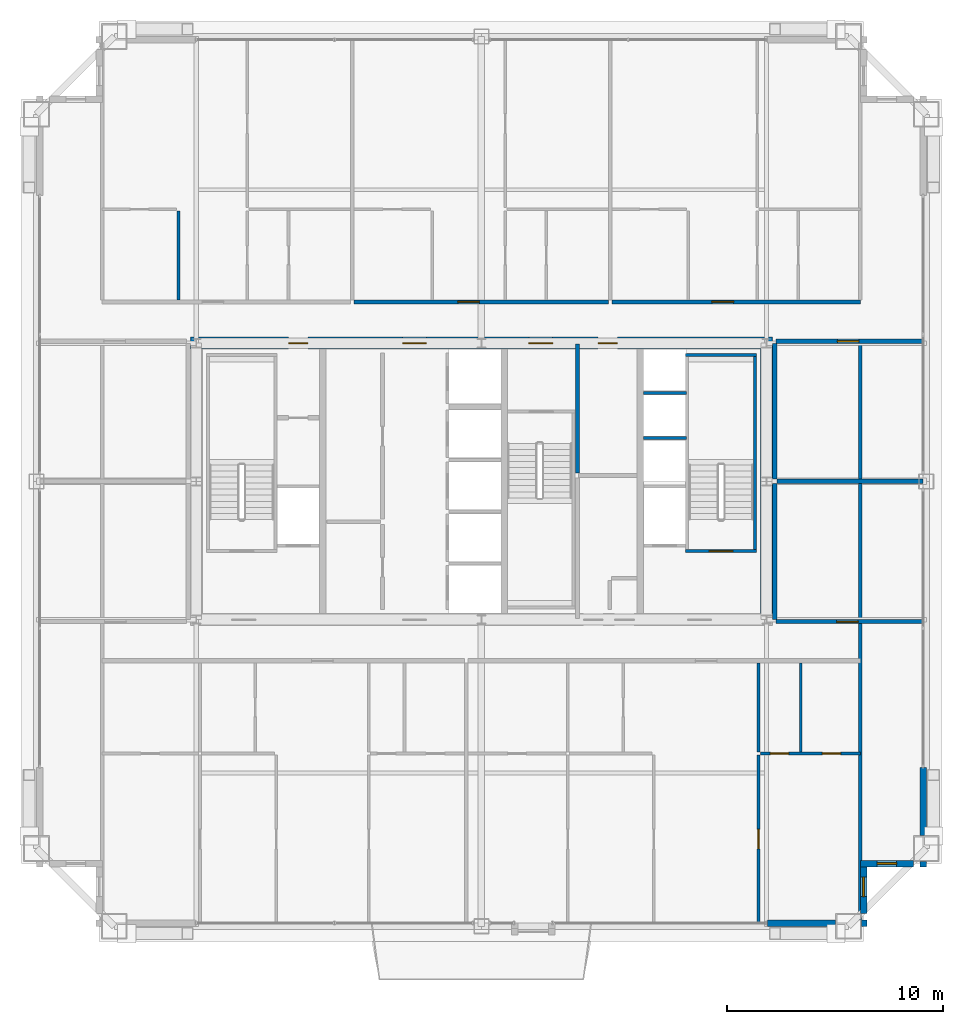
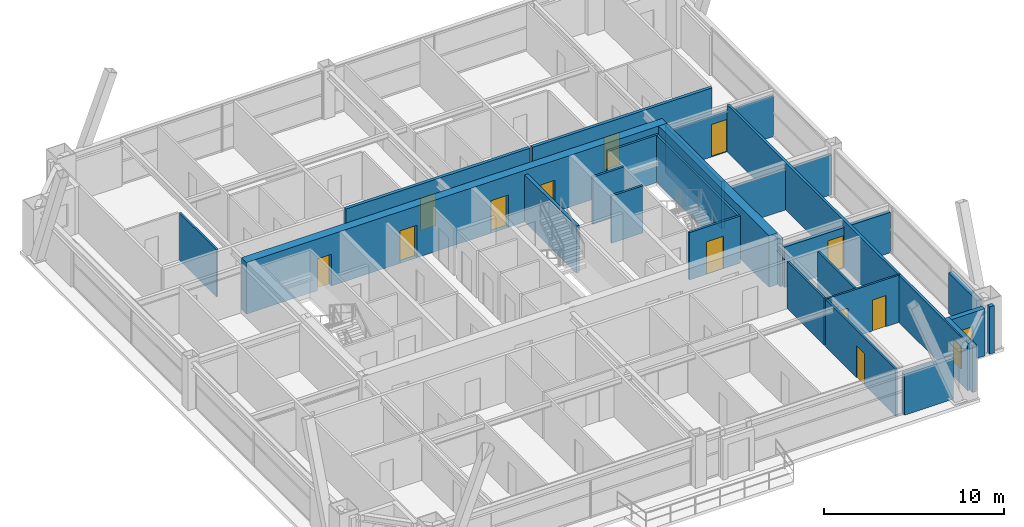
# One storey, part 33 of 36: 27 walls, 12 doors, 2 windows, 14 openings.
"""IFC4 building model written with IfcOpenShell, lengths in metres."""

from ifc_helpers import new_model, si_unit, direction, frame, frame_2d, origin, place, context, subcontext, project, spatial, rectangle, extrude, source, transform, mapped, material, layer, layer_set, type_object, element, fill, save


model = new_model("IFC4")

# Units and contexts
model_context = context("Model", 3, precision=1e-05, world=origin(), true_north=direction((0.0, 1.0)))
body_context = subcontext(model_context, "Body", "Model", "MODEL_VIEW")
ifc_project = project(units=[si_unit("LENGTHUNIT", "METRE"), si_unit("AREAUNIT", "SQUARE_METRE"), si_unit("VOLUMEUNIT", "CUBIC_METRE"), si_unit("PLANEANGLEUNIT", "RADIAN"), si_unit("MASSUNIT", "GRAM", prefix="KILO"), si_unit("THERMODYNAMICTEMPERATUREUNIT", "KELVIN"), si_unit("POWERUNIT", "WATT")], contexts=[model_context])

# Site, building, storey
site_placement = place(None, origin())
site = spatial("IfcSite", under=ifc_project, at=site_placement, CompositionType="ELEMENT")
building_placement = place(site_placement, origin())
building = spatial("IfcBuilding", under=site, at=building_placement, Name="Yuzanri Waterfront Tower", CompositionType="ELEMENT")
storey_placement = place(building_placement, frame((0.0, 0.0, 255.60009765625)))
storey = spatial("IfcBuildingStorey", under=building, at=storey_placement, Name="L68", CompositionType="ELEMENT", Elevation=255.60009765625)

# Wall, openings, doors
ifc_material_1 = material(Name="Moisture-Resistant Gypsum Stud Wall", Category="gypsum")
ifc_layer_1 = layer(ifc_material_1, 0.1201171875)
ifc_layer_set_1 = layer_set([ifc_layer_1], Name="Moisture-Resistant Gypsum Stud Wall")
wall_type_1 = type_object("IfcWallType", Name="Bathroom and Kitchen Wet Partition 120", PredefinedType="PARTITIONING", material=ifc_layer_set_1)
wall_1_placement = place(storey_placement, frame((49.9130859375, 13.199951171875, 0.0), z_axis=(0.0, 0.0, 1.0), x_axis=(1.0, 0.0, 0.0)))
wall_1 = element("IfcWall", 1, at=wall_1_placement, inside=storey, type_object=wall_type_1, Name="L68 Partition UW-L68-RS2-SUB-6-N", PredefinedType="PARTITIONING", context=body_context, shape_type="SweptSolid", body=[
    extrude(rectangle(XDim=4.64697265625, YDim=0.1201171875, at=frame_2d((2.323486328125, 0.0))), origin(), (0.0, 0.0, 1.0), 3.199951171875),
])
opening_1_placement = place(wall_1_placement, frame((2.8720703125, 0.0, 0.0)))
opening_1 = element("IfcOpeningElement", 2, at=opening_1_placement, cuts=wall_1, Name="Opening ID-0850", PredefinedType="OPENING", context=body_context, shape_type="SweptSolid", body=[
    extrude(rectangle(XDim=0.85009765625, YDim=2.10009765625, at=frame_2d((0.425048828125, 1.050048828125))), frame((0.0, 0.074951171875, 0.0), z_axis=(0.0, -1.0, 0.0), x_axis=(1.0, 0.0, 0.0)), (0.0, 0.0, 1.0), 0.14990234375),
])
opening_2_placement = place(wall_1_placement, frame((0.468505859375, 0.0, 0.0)))
opening_2 = element("IfcOpeningElement", 3, at=opening_2_placement, cuts=wall_1, Name="Opening ID-0850", PredefinedType="OPENING", context=body_context, shape_type="SweptSolid", body=[
    extrude(rectangle(XDim=0.85009765625, YDim=2.10009765625, at=frame_2d((0.425048828125, 1.050048828125))), frame((0.0, 0.074951171875, 0.0), z_axis=(0.0, -1.0, 0.0), x_axis=(1.0, 0.0, 0.0)), (0.0, 0.0, 1.0), 0.14990234375),
])
ifc_material_2 = material(Name="Moisture-Resistant Lacquered Timber", Category="wood")
door_type_1 = type_object("IfcDoorType", Name="En-Suite Bathroom and Kitchen Swing Door 850x2100", OperationType="NOTDEFINED", PredefinedType="DOOR", material=ifc_material_2)
shared_shape_1 = source(origin(), body_context, "Body", "SweptSolid", [
    extrude(rectangle(XDim=0.85009765625, YDim=2.10009765625, at=frame_2d((0.425048828125, 1.050048828125))), frame((0.0, 0.02490234375, 0.0), z_axis=(0.0, -1.0, 0.0), x_axis=(1.0, 0.0, 0.0)), (0.0, 0.0, 1.0), 0.050048828125),
])
door_1_placement = place(opening_1_placement, origin())
door_1 = element("IfcDoor", 4, at=door_1_placement, inside=storey, type_object=door_type_1, Name="L68 Suite Interior Room Door", OperationType="SINGLE_SWING_LEFT", OverallHeight=2.10009765625, OverallWidth=0.85009765625, PredefinedType="DOOR", context=body_context, shape_type="MappedRepresentation", body=[
    mapped(shared_shape_1, transform((0.0, 0.0, 0.0), scale=1.0)),
])
fill(opening_1, door_1)
door_2_placement = place(opening_2_placement, origin())
door_2 = element("IfcDoor", 5, at=door_2_placement, inside=storey, type_object=door_type_1, Name="L68 Suite Interior Room Door", OperationType="SINGLE_SWING_RIGHT", OverallHeight=2.10009765625, OverallWidth=0.85009765625, PredefinedType="DOOR", context=body_context, shape_type="MappedRepresentation", body=[
    mapped(shared_shape_1, transform((0.0, 0.0, 0.0), scale=1.0)),
])
fill(opening_2, door_2)

# Wall, opening, door
wall_2_placement = place(storey_placement, frame((49.8330078125, 5.35009765625, 0.0), z_axis=(0.0, 0.0, 1.0), x_axis=(0.0, 1.0, 0.0)))
wall_2 = element("IfcWall", 6, at=wall_2_placement, inside=storey, type_object=wall_type_1, Name="L68 Partition UW-L68-RS2-SUB-6-W", PredefinedType="PARTITIONING", context=body_context, shape_type="SweptSolid", body=[
    extrude(rectangle(XDim=7.77001953125, YDim=0.1201171875, at=frame_2d((3.885009765625, 0.0))), origin(), (0.0, 0.0, 1.0), 3.199951171875),
])
opening_3_placement = place(wall_2_placement, frame((3.43505859375, 0.0, 0.0)))
opening_3 = element("IfcOpeningElement", 7, at=opening_3_placement, cuts=wall_2, Name="Opening ID-0900", PredefinedType="OPENING", context=body_context, shape_type="SweptSolid", body=[
    extrude(rectangle(XDim=0.89990234375, YDim=2.14990234375, at=frame_2d((0.449951171875, 1.074951171875))), frame((0.0, 0.074951171875, 0.0), z_axis=(0.0, -1.0, 0.0), x_axis=(1.0, 0.0, 0.0)), (0.0, 0.0, 1.0), 0.14990234375),
])
ifc_material_3 = material(Name="Stained Walnut Veneer Timber", Category="wood")
door_type_2 = type_object("IfcDoorType", Name="Bedroom and Study Interior Swing Door 900x2150", OperationType="NOTDEFINED", PredefinedType="DOOR", material=ifc_material_3)
shared_shape_2 = source(origin(), body_context, "Body", "SweptSolid", [
    extrude(rectangle(XDim=0.89990234375, YDim=2.14990234375, at=frame_2d((0.449951171875, 1.074951171875))), frame((0.0, 0.02490234375, 0.0), z_axis=(0.0, -1.0, 0.0), x_axis=(1.0, 0.0, 0.0)), (0.0, 0.0, 1.0), 0.050048828125),
])
door_3_placement = place(opening_3_placement, origin())
door_3 = element("IfcDoor", 8, at=door_3_placement, inside=storey, type_object=door_type_2, Name="L68 Suite Interior Room Door", OperationType="SINGLE_SWING_RIGHT", OverallHeight=2.14990234375, OverallWidth=0.89990234375, PredefinedType="DOOR", context=body_context, shape_type="MappedRepresentation", body=[
    mapped(shared_shape_2, transform((0.0, 0.0, 0.0), scale=1.0)),
])
fill(opening_3, door_3)

# Wall, opening, window
ifc_material_4 = material(Name="Honed Chongqing Dark Basalt Stone", Category="masonry")
ifc_layer_2 = layer(ifc_material_4, 0.300048828125)
ifc_layer_set_2 = layer_set([ifc_layer_2], Name="Honed Chongqing Dark Basalt Stone")
wall_type_2 = type_object("IfcWallType", Name="Bronze Rainscreen Insulated Spandrel Portal Wall 300", PredefinedType="SOLIDWALL", material=ifc_layer_set_2)
wall_3_placement = place(storey_placement, frame((54.550048828125, 8.10009765625, 0.0), z_axis=(0.0, 0.0, 1.0), x_axis=(1.0, 0.0, 0.0)))
wall_3 = element("IfcWall", 9, at=wall_3_placement, inside=storey, type_object=wall_type_2, Name="L68 Notched Corner Masonry Wall SE-X", PredefinedType="SOLIDWALL", context=body_context, shape_type="SweptSolid", body=[
    extrude(rectangle(XDim=2.449951171875, YDim=0.300048828125, at=frame_2d((1.22509765625, 0.0))), origin(), (0.0, 0.0, 1.0), 3.199951171875),
])
opening_4_placement = place(wall_3_placement, frame((0.77490234375, 0.0, 0.75)))
opening_4 = element("IfcOpeningElement", 10, at=opening_4_placement, cuts=wall_3, Name="Opening WN-05", PredefinedType="OPENING", context=body_context, shape_type="SweptSolid", body=[
    extrude(rectangle(XDim=0.89990234375, YDim=1.5, at=frame_2d((0.449951171875, 0.75))), frame((0.0, 0.1650390625, 0.0), z_axis=(0.0, -1.0, 0.0), x_axis=(1.0, 0.0, 0.0)), (0.0, 0.0, 1.0), 0.329833984375),
])
ifc_material_5 = material(Name="Double-Silver Low-E Insulated Glass", Category="glass")
window_type = type_object("IfcWindowType", Name="Anodized Bronze Service and Stairwell Smoke-Vent Window 900x1500", PartitioningType="SINGLE_PANEL", PredefinedType="WINDOW", material=ifc_material_5)
shared_shape_3 = source(origin(), body_context, "Body", "SweptSolid", [
    extrude(rectangle(XDim=0.89990234375, YDim=1.5, at=frame_2d((0.449951171875, 0.75))), frame((0.0, 0.030029296875, 0.0), z_axis=(0.0, -1.0, 0.0), x_axis=(1.0, 0.0, 0.0)), (0.0, 0.0, 1.0), 0.06005859375),
])
window_1_placement = place(opening_4_placement, origin())
window_1 = element("IfcWindow", 11, at=window_1_placement, inside=storey, type_object=window_type, Name="L68 Notched Corner Window SE-X", OverallHeight=1.5, OverallWidth=0.89990234375, PartitioningType="SINGLE_PANEL", PredefinedType="WINDOW", context=body_context, shape_type="MappedRepresentation", body=[
    mapped(shared_shape_3, transform((0.0, 0.0, 0.0), scale=1.0)),
])
fill(opening_4, window_1)

wall_4_placement = place(storey_placement, frame((54.699951171875, 5.800048828125, 0.0), z_axis=(0.0, 0.0, 1.0), x_axis=(0.0, 1.0, 0.0)))
wall_4 = element("IfcWall", 12, at=wall_4_placement, inside=storey, type_object=wall_type_2, Name="L68 Notched Corner Masonry Wall SE-Y", PredefinedType="SOLIDWALL", context=body_context, shape_type="SweptSolid", body=[
    extrude(rectangle(XDim=2.449951171875, YDim=0.300048828125, at=frame_2d((1.22509765625, 0.0))), origin(), (0.0, 0.0, 1.0), 3.199951171875),
])
opening_5_placement = place(wall_4_placement, frame((0.77490234375, 0.0, 0.75)))
opening_5 = element("IfcOpeningElement", 13, at=opening_5_placement, cuts=wall_4, Name="Opening WN-05", PredefinedType="OPENING", context=body_context, shape_type="SweptSolid", body=[
    extrude(rectangle(XDim=0.89990234375, YDim=1.5, at=frame_2d((0.449951171875, 0.75))), frame((0.0, 0.1650390625, 0.0), z_axis=(0.0, -1.0, 0.0), x_axis=(1.0, 0.0, 0.0)), (0.0, 0.0, 1.0), 0.329833984375),
])
window_2_placement = place(opening_5_placement, origin())
window_2 = element("IfcWindow", 14, at=window_2_placement, inside=storey, type_object=window_type, Name="L68 Notched Corner Window SE-Y", OverallHeight=1.5, OverallWidth=0.89990234375, PartitioningType="SINGLE_PANEL", PredefinedType="WINDOW", context=body_context, shape_type="MappedRepresentation", body=[
    mapped(shared_shape_3, transform((0.0, 0.0, 0.0), scale=1.0)),
])
fill(opening_5, window_2)

# Wall, openings, doors
ifc_material_6 = material(Name="Concrete C50", Category="concrete")
ifc_layer_3 = layer(ifc_material_6, 0.550048828125)
ifc_layer_set_3 = layer_set([ifc_layer_3], Name="Concrete C50")
wall_type_3 = type_object("IfcWallType", Name="Concrete C50 Upper-Mid Zone Core Shear Wall 550", PredefinedType="SHEAR", material=ifc_layer_set_3)
wall_5_placement = place(storey_placement, frame((23.52490234375, 32.199951171875, 0.0), z_axis=(0.0, 0.0, 1.0), x_axis=(1.0, 0.0, 0.0)))
wall_5 = element("IfcWall", 15, at=wall_5_placement, inside=storey, type_object=wall_type_3, Name="L68 Core North Shear Wall", PredefinedType="SHEAR", context=body_context, shape_type="SweptSolid", body=[
    extrude(rectangle(XDim=26.9501953125, YDim=0.550048828125, at=frame_2d((13.47509765625, 0.0))), origin(), (0.0, 0.0, 1.0), 3.5),
])
opening_6_placement = place(wall_5_placement, frame((4.544921875, 0.0, 0.0)))
opening_6 = element("IfcOpeningElement", 16, at=opening_6_placement, cuts=wall_5, Name="Opening FD-0900", PredefinedType="OPENING", context=body_context, shape_type="SweptSolid", body=[
    extrude(rectangle(XDim=0.89990234375, YDim=2.14990234375, at=frame_2d((0.449951171875, 1.074951171875))), frame((0.0, 0.2900390625, 0.0), z_axis=(0.0, -1.0, 0.0), x_axis=(1.0, 0.0, 0.0)), (0.0, 0.0, 1.0), 0.579833984375),
])
opening_7_placement = place(wall_5_placement, frame((9.824951171875, 0.0, 0.0)))
opening_7 = element("IfcOpeningElement", 17, at=opening_7_placement, cuts=wall_5, Name="Opening FD-1100", PredefinedType="OPENING", context=body_context, shape_type="SweptSolid", body=[
    extrude(rectangle(XDim=1.10009765625, YDim=2.199951171875, at=frame_2d((0.550048828125, 1.10009765625))), frame((0.0, 0.2900390625, 0.0), z_axis=(0.0, -1.0, 0.0), x_axis=(1.0, 0.0, 0.0)), (0.0, 0.0, 1.0), 0.579833984375),
])
opening_8_placement = place(wall_5_placement, frame((15.675048828125, 0.0, 0.0)))
opening_8 = element("IfcOpeningElement", 18, at=opening_8_placement, cuts=wall_5, Name="Opening FD-1100", PredefinedType="OPENING", context=body_context, shape_type="SweptSolid", body=[
    extrude(rectangle(XDim=1.10009765625, YDim=2.199951171875, at=frame_2d((0.550048828125, 1.10009765625))), frame((0.0, 0.2900390625, 0.0), z_axis=(0.0, -1.0, 0.0), x_axis=(1.0, 0.0, 0.0)), (0.0, 0.0, 1.0), 0.579833984375),
])
opening_9_placement = place(wall_5_placement, frame((18.875, 0.0, 0.0)))
opening_9 = element("IfcOpeningElement", 19, at=opening_9_placement, cuts=wall_5, Name="Opening FD-0900", PredefinedType="OPENING", context=body_context, shape_type="SweptSolid", body=[
    extrude(rectangle(XDim=0.89990234375, YDim=2.14990234375, at=frame_2d((0.449951171875, 1.074951171875))), frame((0.0, 0.2900390625, 0.0), z_axis=(0.0, -1.0, 0.0), x_axis=(1.0, 0.0, 0.0)), (0.0, 0.0, 1.0), 0.579833984375),
])
ifc_material_7 = material(Name="Painted Galvanized Fire Steel", Category="steel")
door_type_3 = type_object("IfcDoorType", Name="Smoke-Proof Stair and Lobby Fire Door 1100x2200", OperationType="NOTDEFINED", PredefinedType="DOOR", material=ifc_material_7)
shared_shape_4 = source(origin(), body_context, "Body", "SweptSolid", [
    extrude(rectangle(XDim=1.10009765625, YDim=2.199951171875, at=frame_2d((0.550048828125, 1.10009765625))), frame((0.0, 0.02490234375, 0.0), z_axis=(0.0, -1.0, 0.0), x_axis=(1.0, 0.0, 0.0)), (0.0, 0.0, 1.0), 0.050048828125),
])
door_4_placement = place(opening_7_placement, origin())
door_4 = element("IfcDoor", 20, at=door_4_placement, inside=storey, type_object=door_type_3, Name="L68 Central Lift Lobby North Door", OperationType="SINGLE_SWING_RIGHT", OverallHeight=2.199951171875, OverallWidth=1.10009765625, PredefinedType="DOOR", context=body_context, shape_type="MappedRepresentation", body=[
    mapped(shared_shape_4, transform((0.0, 0.0, 0.0), scale=1.0)),
])
fill(opening_7, door_4)
door_5_placement = place(opening_8_placement, origin())
door_5 = element("IfcDoor", 21, at=door_5_placement, inside=storey, type_object=door_type_3, Name="L68 North Stair Lobby Door", OperationType="SINGLE_SWING_LEFT", OverallHeight=2.199951171875, OverallWidth=1.10009765625, PredefinedType="DOOR", context=body_context, shape_type="MappedRepresentation", body=[
    mapped(shared_shape_4, transform((0.0, 0.0, 0.0), scale=1.0)),
])
fill(opening_8, door_5)
ifc_material_8 = material(Name="Painted Galvanized Fire Steel", Category="steel")
door_type_4 = type_object("IfcDoorType", Name="Riser and Service Room Fire Door 900x2150", OperationType="NOTDEFINED", PredefinedType="DOOR", material=ifc_material_8)
shared_shape_5 = source(origin(), body_context, "Body", "SweptSolid", [
    extrude(rectangle(XDim=0.89990234375, YDim=2.14990234375, at=frame_2d((0.449951171875, 1.074951171875))), frame((0.0, 0.02490234375, 0.0), z_axis=(0.0, -1.0, 0.0), x_axis=(1.0, 0.0, 0.0)), (0.0, 0.0, 1.0), 0.050048828125),
])
door_6_placement = place(opening_6_placement, origin())
door_6 = element("IfcDoor", 22, at=door_6_placement, inside=storey, type_object=door_type_4, Name="L68 Telecom Riser Door", OperationType="SINGLE_SWING_LEFT", OverallHeight=2.14990234375, OverallWidth=0.89990234375, PredefinedType="DOOR", context=body_context, shape_type="MappedRepresentation", body=[
    mapped(shared_shape_5, transform((0.0, 0.0, 0.0), scale=1.0)),
])
fill(opening_6, door_6)
door_7_placement = place(opening_9_placement, origin())
door_7 = element("IfcDoor", 23, at=door_7_placement, inside=storey, type_object=door_type_4, Name="L68 Cleaners Store Room", OperationType="SINGLE_SWING_LEFT", OverallHeight=2.14990234375, OverallWidth=0.89990234375, PredefinedType="DOOR", context=body_context, shape_type="MappedRepresentation", body=[
    mapped(shared_shape_5, transform((0.0, 0.0, 0.0), scale=1.0)),
])
fill(opening_9, door_7)

# Wall, opening, door
ifc_material_9 = material(Name="Concrete C40", Category="concrete")
ifc_layer_4 = layer(ifc_material_9, 0.139892578125)
ifc_layer_set_4 = layer_set([ifc_layer_4], Name="Concrete C40")
wall_type_4 = type_object("IfcWallType", Name="Core Stair Liner and Hoistway Shaft Wall 140", PredefinedType="SOLIDWALL", material=ifc_layer_set_4)
wall_6_placement = place(storey_placement, frame((46.4599609375, 22.570068359375, 0.0), z_axis=(0.0, 0.0, 1.0), x_axis=(1.0, 0.0, 0.0)))
wall_6 = element("IfcWall", 24, at=wall_6_placement, inside=storey, type_object=wall_type_4, Name="L68 Shaft Wall STW-L68-ST-02-S", PredefinedType="SOLIDWALL", context=body_context, shape_type="SweptSolid", body=[
    extrude(rectangle(XDim=3.280029296875, YDim=0.139892578125, at=frame_2d((1.64013671875, 0.0))), origin(), (0.0, 0.0, 1.0), 3.199951171875),
])
opening_10_placement = place(wall_6_placement, frame((1.090087890625, 0.0, 0.0)))
opening_10 = element("IfcOpeningElement", 25, at=opening_10_placement, cuts=wall_6, Name="Opening FD-1100", PredefinedType="OPENING", context=body_context, shape_type="SweptSolid", body=[
    extrude(rectangle(XDim=1.10009765625, YDim=2.199951171875, at=frame_2d((0.550048828125, 1.10009765625))), frame((0.0, 0.0849609375, 0.0), z_axis=(0.0, -1.0, 0.0), x_axis=(1.0, 0.0, 0.0)), (0.0, 0.0, 1.0), 0.169677734375),
])
door_8_placement = place(opening_10_placement, origin())
door_8 = element("IfcDoor", 26, at=door_8_placement, inside=storey, type_object=door_type_3, Name="L68 Stair ST-02 Fire Door", OperationType="SINGLE_SWING_RIGHT", OverallHeight=2.199951171875, OverallWidth=1.10009765625, PredefinedType="DOOR", context=body_context, shape_type="MappedRepresentation", body=[
    mapped(shared_shape_4, transform((0.0, 0.0, 0.0), scale=1.0)),
])
fill(opening_10, door_8)

ifc_material_10 = material(Name="Autoclaved Aerated Concrete Blockwork", Category="masonry")
ifc_layer_5 = layer(ifc_material_10, 0.199951171875)
ifc_layer_set_5 = layer_set([ifc_layer_5], Name="Autoclaved Aerated Concrete Blockwork")
wall_type_5 = type_object("IfcWallType", Name="Corridor and Unit Party Fire Wall 200", PredefinedType="PARTITIONING", material=ifc_layer_set_5)
wall_7_placement = place(storey_placement, frame((31.110107421875, 34.110107421875, 0.0), z_axis=(0.0, 0.0, 1.0), x_axis=(1.0, 0.0, 0.0)))
wall_7 = element("IfcWall", 27, at=wall_7_placement, inside=storey, type_object=wall_type_5, Name="L68 Partition UW-L68-RN2-CS", PredefinedType="PARTITIONING", context=body_context, shape_type="SweptSolid", body=[
    extrude(rectangle(XDim=11.77978515625, YDim=0.199951171875, at=frame_2d((5.889892578125, 0.0))), origin(), (0.0, 0.0, 1.0), 3.199951171875),
])
opening_11_placement = place(wall_7_placement, frame((4.801025390625, 0.0, 0.0)))
opening_11 = element("IfcOpeningElement", 28, at=opening_11_placement, cuts=wall_7, Name="Opening FD-1000", PredefinedType="OPENING", context=body_context, shape_type="SweptSolid", body=[
    extrude(rectangle(XDim=1.0, YDim=2.199951171875, at=frame_2d((0.5, 1.10009765625))), frame((0.0, 0.11474609375, 0.0), z_axis=(0.0, -1.0, 0.0), x_axis=(1.0, 0.0, 0.0)), (0.0, 0.0, 1.0), 0.229736328125),
])
ifc_material_11 = material(Name="Engineered Oak Fire-Rated Timber", Category="wood")
door_type_5 = type_object("IfcDoorType", Name="Guestroom and Apartment Entrance Fire Door 1000x2200", OperationType="NOTDEFINED", PredefinedType="DOOR", material=ifc_material_11)
shared_shape_6 = source(origin(), body_context, "Body", "SweptSolid", [
    extrude(rectangle(XDim=1.0, YDim=2.199951171875, at=frame_2d((0.5, 1.10009765625))), frame((0.0, 0.02490234375, 0.0), z_axis=(0.0, -1.0, 0.0), x_axis=(1.0, 0.0, 0.0)), (0.0, 0.0, 1.0), 0.050048828125),
])
door_9_placement = place(opening_11_placement, origin())
door_9 = element("IfcDoor", 29, at=door_9_placement, inside=storey, type_object=door_type_5, Name="L68 Apartment Living Room Entrance Door", OperationType="SINGLE_SWING_LEFT", OverallHeight=2.199951171875, OverallWidth=1.0, PredefinedType="DOOR", context=body_context, shape_type="MappedRepresentation", body=[
    mapped(shared_shape_6, transform((0.0, 0.0, 0.0), scale=1.0)),
])
fill(opening_11, door_9)

wall_8_placement = place(storey_placement, frame((43.050048828125, 34.110107421875, 0.0), z_axis=(0.0, 0.0, 1.0), x_axis=(1.0, 0.0, 0.0)))
wall_8 = element("IfcWall", 30, at=wall_8_placement, inside=storey, type_object=wall_type_5, Name="L68 Partition UW-L68-RN3-CS", PredefinedType="PARTITIONING", context=body_context, shape_type="SweptSolid", body=[
    extrude(rectangle(XDim=11.510009765625, YDim=0.199951171875, at=frame_2d((5.7548828125, 0.0))), origin(), (0.0, 0.0, 1.0), 3.199951171875),
])
opening_12_placement = place(wall_8_placement, frame((4.625, 0.0, 0.0)))
opening_12 = element("IfcOpeningElement", 31, at=opening_12_placement, cuts=wall_8, Name="Opening FD-1000", PredefinedType="OPENING", context=body_context, shape_type="SweptSolid", body=[
    extrude(rectangle(XDim=1.0, YDim=2.199951171875, at=frame_2d((0.5, 1.10009765625))), frame((0.0, 0.11474609375, 0.0), z_axis=(0.0, -1.0, 0.0), x_axis=(1.0, 0.0, 0.0)), (0.0, 0.0, 1.0), 0.229736328125),
])
door_10_placement = place(opening_12_placement, origin())
door_10 = element("IfcDoor", 32, at=door_10_placement, inside=storey, type_object=door_type_5, Name="L68 Apartment Living Room Entrance Door", OperationType="SINGLE_SWING_RIGHT", OverallHeight=2.199951171875, OverallWidth=1.0, PredefinedType="DOOR", context=body_context, shape_type="MappedRepresentation", body=[
    mapped(shared_shape_6, transform((0.0, 0.0, 0.0), scale=1.0)),
])
fill(opening_12, door_10)

wall_9_placement = place(storey_placement, frame((50.64990234375, 19.31005859375, 0.0), z_axis=(0.0, 0.0, 1.0), x_axis=(1.0, 0.0, 0.0)))
wall_9 = element("IfcWall", 33, at=wall_9_placement, inside=storey, type_object=wall_type_5, Name="L68 Partition UW-L68-050-CS", PredefinedType="PARTITIONING", context=body_context, shape_type="SweptSolid", body=[
    extrude(rectangle(XDim=6.800048828125, YDim=0.199951171875, at=frame_2d((3.39990234375, 0.0))), origin(), (0.0, 0.0, 1.0), 2.744873046875),
])
opening_13_placement = place(wall_9_placement, frame((2.800048828125, 0.0, 0.0)))
opening_13 = element("IfcOpeningElement", 34, at=opening_13_placement, cuts=wall_9, Name="Opening FD-1000", PredefinedType="OPENING", context=body_context, shape_type="SweptSolid", body=[
    extrude(rectangle(XDim=1.0, YDim=2.199951171875, at=frame_2d((0.5, 1.10009765625))), frame((0.0, 0.11474609375, 0.0), z_axis=(0.0, -1.0, 0.0), x_axis=(1.0, 0.0, 0.0)), (0.0, 0.0, 1.0), 0.229736328125),
])
door_11_placement = place(opening_13_placement, origin())
door_11 = element("IfcDoor", 35, at=door_11_placement, inside=storey, type_object=door_type_5, Name="L68 Residents E Boardroom Meeting Room Entrance Door", OperationType="SINGLE_SWING_LEFT", OverallHeight=2.199951171875, OverallWidth=1.0, PredefinedType="DOOR", context=body_context, shape_type="MappedRepresentation", body=[
    mapped(shared_shape_6, transform((0.0, 0.0, 0.0), scale=1.0)),
])
fill(opening_13, door_11)

wall_10_placement = place(storey_placement, frame((50.64990234375, 32.2900390625, 0.0), z_axis=(0.0, 0.0, 1.0), x_axis=(1.0, 0.0, 0.0)))
wall_10 = element("IfcWall", 36, at=wall_10_placement, inside=storey, type_object=wall_type_5, Name="L68 Partition UW-L68-051-CN", PredefinedType="PARTITIONING", context=body_context, shape_type="SweptSolid", body=[
    extrude(rectangle(XDim=6.800048828125, YDim=0.199951171875, at=frame_2d((3.39990234375, 0.0))), origin(), (0.0, 0.0, 1.0), 2.744873046875),
])
opening_14_placement = place(wall_10_placement, frame((2.8349609375, 0.0, 0.0)))
opening_14 = element("IfcOpeningElement", 37, at=opening_14_placement, cuts=wall_10, Name="Opening FD-1000", PredefinedType="OPENING", context=body_context, shape_type="SweptSolid", body=[
    extrude(rectangle(XDim=1.0, YDim=2.199951171875, at=frame_2d((0.5, 1.10009765625))), frame((0.0, 0.11474609375, 0.0), z_axis=(0.0, -1.0, 0.0), x_axis=(1.0, 0.0, 0.0)), (0.0, 0.0, 1.0), 0.229736328125),
])
door_12_placement = place(opening_14_placement, origin())
door_12 = element("IfcDoor", 38, at=door_12_placement, inside=storey, type_object=door_type_5, Name="L68 Residents E Seminar Meeting Room Entrance Door", OperationType="SINGLE_SWING_RIGHT", OverallHeight=2.199951171875, OverallWidth=1.0, PredefinedType="DOOR", context=body_context, shape_type="MappedRepresentation", body=[
    mapped(shared_shape_6, transform((0.0, 0.0, 0.0), scale=1.0)),
])
fill(opening_14, door_12)

# Walls
shared_shape_7 = source(origin(), body_context, "Body", "SweptSolid", [
    extrude(rectangle(XDim=12.25, YDim=0.550048828125, at=frame_2d((6.125, 0.0))), origin(), (0.0, 0.0, 1.0), 3.5),
])
wall_11_placement = place(storey_placement, frame((50.199951171875, 19.675048828125, 0.0), z_axis=(0.0, 0.0, 1.0), x_axis=(0.0, 1.0, 0.0)))
element("IfcWall", 39, at=wall_11_placement, inside=storey, type_object=wall_type_3, Name="L68 Core East Shear Wall", PredefinedType="SHEAR", context=body_context, shape_type="MappedRepresentation", body=[
    mapped(shared_shape_7, transform((0.0, 0.0, 0.0), scale=1.0)),
])
shared_shape_8 = source(origin(), body_context, "Body", "SweptSolid", [
    extrude(rectangle(XDim=0.25, YDim=0.300048828125, at=frame_2d((0.125, 0.0))), origin(), (0.0, 0.0, 1.0), 3.199951171875),
])
for number, where, z_axis, x_axis, name in (
    (40, (54.60009765625, 5.35009765625, 0.0), (0.0, 0.0, 1.0), (1.0, 0.0, 0.0), "L68 Corner Column Shoulder Return CSE"),
    (41, (57.449951171875, 7.949951171875, 0.0), (0.0, 0.0, 1.0), (0.0, 1.0, 0.0), "L68 Corner Column Shoulder Return CES"),
):
    element("IfcWall", number, at=place(storey_placement, frame(where, z_axis=z_axis, x_axis=x_axis)), inside=storey, type_object=wall_type_2, Name=name, PredefinedType="SOLIDWALL", context=body_context, shape_type="MappedRepresentation", body=[
        mapped(shared_shape_8, transform((0.0, 0.0, 0.0), scale=1.0)),
    ])
shared_shape_9 = source(origin(), body_context, "Body", "SweptSolid", [
    extrude(rectangle(XDim=3.14990234375, YDim=0.300048828125, at=frame_2d((1.574951171875, 0.0))), origin(), (0.0, 0.0, 1.0), 2.7548828125),
])
wall_12_placement = place(storey_placement, frame((50.25, 5.35009765625, 0.0), z_axis=(0.0, 0.0, 1.0), x_axis=(1.0, 0.0, 0.0)))
element("IfcWall", 42, at=wall_12_placement, inside=storey, type_object=wall_type_2, Name="L68 S Right Braced Masonry Shoulder", PredefinedType="SOLIDWALL", context=body_context, shape_type="MappedRepresentation", body=[
    mapped(shared_shape_9, transform((0.0, 0.0, 0.0), scale=1.0)),
])
shared_shape_10 = source(origin(), body_context, "Body", "SweptSolid", [
    extrude(rectangle(XDim=3.150146484375, YDim=0.300048828125, at=frame_2d((1.5751953125, 0.0))), origin(), (0.0, 0.0, 1.0), 2.7548828125),
])
wall_13_placement = place(storey_placement, frame((57.449951171875, 9.39990234375, 0.0), z_axis=(0.0, 0.0, 1.0), x_axis=(0.0, 1.0, 0.0)))
element("IfcWall", 43, at=wall_13_placement, inside=storey, type_object=wall_type_2, Name="L68 E Left Braced Masonry Shoulder", PredefinedType="SOLIDWALL", context=body_context, shape_type="MappedRepresentation", body=[
    mapped(shared_shape_10, transform((0.0, 0.0, 0.0), scale=1.0)),
])
shared_shape_11 = source(origin(), body_context, "Body", "SweptSolid", [
    extrude(rectangle(XDim=2.0, YDim=0.139892578125, at=frame_2d((1.0, 0.0))), origin(), (0.0, 0.0, 1.0), 3.199951171875),
])
for number, where, z_axis, x_axis, name in (
    (44, (44.5, 27.800048828125, 0.0), (0.0, 0.0, 1.0), (1.0, 0.0, 0.0), "L68 Lift PL-09 Divider Wall"),
    (45, (44.5, 29.89990234375, 0.0), (0.0, 0.0, 1.0), (1.0, 0.0, 0.0), "L68 Lift PL-10 Divider Wall"),
):
    element("IfcWall", number, at=place(storey_placement, frame(where, z_axis=z_axis, x_axis=x_axis)), inside=storey, type_object=wall_type_4, Name=name, PredefinedType="SOLIDWALL", context=body_context, shape_type="MappedRepresentation", body=[
        mapped(shared_shape_11, transform((0.0, 0.0, 0.0), scale=1.0)),
    ])
shared_shape_12 = source(origin(), body_context, "Body", "SweptSolid", [
    extrude(rectangle(XDim=3.280029296875, YDim=0.139892578125, at=frame_2d((1.64013671875, 0.0))), origin(), (0.0, 0.0, 1.0), 3.199951171875),
])
wall_14_placement = place(storey_placement, frame((46.4599609375, 31.64990234375, 0.0), z_axis=(0.0, 0.0, 1.0), x_axis=(1.0, 0.0, 0.0)))
element("IfcWall", 46, at=wall_14_placement, inside=storey, type_object=wall_type_4, Name="L68 Stair ST-02 North Shaft Wall", PredefinedType="SOLIDWALL", context=body_context, shape_type="MappedRepresentation", body=[
    mapped(shared_shape_12, transform((0.0, 0.0, 0.0), scale=1.0)),
])
shared_shape_13 = source(origin(), body_context, "Body", "SweptSolid", [
    extrude(rectangle(XDim=8.940185546875, YDim=0.139892578125, at=frame_2d((4.47021484375, 0.0))), origin(), (0.0, 0.0, 1.0), 3.199951171875),
])
wall_15_placement = place(storey_placement, frame((49.669921875, 22.639892578125, 0.0), z_axis=(0.0, 0.0, 1.0), x_axis=(0.0, 1.0, 0.0)))
element("IfcWall", 47, at=wall_15_placement, inside=storey, type_object=wall_type_4, Name="L68 Stair ST-02 East Shaft Wall", PredefinedType="SOLIDWALL", context=body_context, shape_type="MappedRepresentation", body=[
    mapped(shared_shape_13, transform((0.0, 0.0, 0.0), scale=1.0)),
])
shared_shape_14 = source(origin(), body_context, "Body", "SweptSolid", [
    extrude(rectangle(XDim=5.9599609375, YDim=0.199951171875, at=frame_2d((2.97998046875, 0.0))), origin(), (0.0, 0.0, 1.0), 3.199951171875),
])
wall_16_placement = place(storey_placement, frame((41.449951171875, 26.199951171875, 0.0), z_axis=(0.0, 0.0, 1.0), x_axis=(0.0, 1.0, 0.0)))
element("IfcWall", 48, at=wall_16_placement, inside=storey, type_object=wall_type_5, Name="L68 Core BOH West Wall 2", PredefinedType="PARTITIONING", context=body_context, shape_type="MappedRepresentation", body=[
    mapped(shared_shape_14, transform((0.0, 0.0, 0.0), scale=1.0)),
])
shared_shape_15 = source(origin(), body_context, "Body", "SweptSolid", [
    extrude(rectangle(XDim=4.10986328125, YDim=0.1201171875, at=frame_2d((2.054931640625, 0.0))), origin(), (0.0, 0.0, 1.0), 3.199951171875),
])
for number, where, z_axis, x_axis, name in (
    (49, (51.780029296875, 13.280029296875, 0.0), (0.0, 0.0, 1.0), (0.0, 1.0, 0.0), "L68 Partition UW-L68-RS2-SUB-3-W"),
    (50, (49.8330078125, 13.280029296875, 0.0), (0.0, 0.0, 1.0), (0.0, 1.0, 0.0), "L68 Partition UW-L68-RS2-SUB-4-W"),
):
    element("IfcWall", number, at=place(storey_placement, frame(where, z_axis=z_axis, x_axis=x_axis)), inside=storey, type_object=wall_type_1, Name=name, PredefinedType="PARTITIONING", context=body_context, shape_type="MappedRepresentation", body=[
        mapped(shared_shape_15, transform((0.0, 0.0, 0.0), scale=1.0)),
    ])
shared_shape_16 = source(origin(), body_context, "Body", "SweptSolid", [
    extrude(rectangle(XDim=4.110107421875, YDim=0.1201171875, at=frame_2d((2.05517578125, 0.0))), origin(), (0.0, 0.0, 1.0), 3.199951171875),
])
wall_17_placement = place(storey_placement, frame((22.972900390625, 34.2099609375, 0.0), z_axis=(0.0, 0.0, 1.0), x_axis=(0.0, 1.0, 0.0)))
element("IfcWall", 51, at=wall_17_placement, inside=storey, type_object=wall_type_1, Name="L68 Partition UW-L68-RN1-SUB-1-E", PredefinedType="PARTITIONING", context=body_context, shape_type="MappedRepresentation", body=[
    mapped(shared_shape_16, transform((0.0, 0.0, 0.0), scale=1.0)),
])
shared_shape_17 = source(origin(), body_context, "Body", "SweptSolid", [
    extrude(rectangle(XDim=6.764892578125, YDim=0.199951171875, at=frame_2d((3.38232421875, 0.0))), origin(), (0.0, 0.0, 1.0), 2.706787109375),
])
wall_18_placement = place(storey_placement, frame((50.68505859375, 25.800048828125, 0.0), z_axis=(0.0, 0.0, 1.0), x_axis=(1.0, 0.0, 0.0)))
element("IfcWall", 52, at=wall_18_placement, inside=storey, type_object=wall_type_5, Name="L68-050 Wing North Wall", PredefinedType="PARTITIONING", context=body_context, shape_type="MappedRepresentation", body=[
    mapped(shared_shape_17, transform((0.0, 0.0, 0.0), scale=1.0)),
])
shared_shape_18 = source(origin(), body_context, "Body", "SweptSolid", [
    extrude(rectangle(XDim=6.2900390625, YDim=0.199951171875, at=frame_2d((3.14501953125, 0.0))), origin(), (0.0, 0.0, 1.0), 3.199951171875),
])
for number, where, z_axis, x_axis, name in (
    (53, (50.580078125, 19.409912109375, 0.0), (0.0, 0.0, 1.0), (0.0, 1.0, 0.0), "L68-050 Wing Inner Core-Side Wall"),
    (54, (50.580078125, 25.89990234375, 0.0), (0.0, 0.0, 1.0), (0.0, 1.0, 0.0), "L68-051 Wing Inner Core-Side Wall"),
):
    element("IfcWall", number, at=place(storey_placement, frame(where, z_axis=z_axis, x_axis=x_axis)), inside=storey, type_object=wall_type_5, Name=name, PredefinedType="PARTITIONING", context=body_context, shape_type="MappedRepresentation", body=[
        mapped(shared_shape_18, transform((0.0, 0.0, 0.0), scale=1.0)),
    ])
ifc_material_12 = material(Name="Gypsum Fireboard Acoustic Stud Wall", Category="gypsum")
ifc_layer_6 = layer(ifc_material_12, 0.159912109375)
ifc_layer_set_6 = layer_set([ifc_layer_6], Name="Gypsum Fireboard Acoustic Stud Wall")
wall_type_6 = type_object("IfcWallType", Name="Acoustic Suite Demising Partition 160", PredefinedType="PARTITIONING", material=ifc_layer_set_6)
shared_shape_19 = source(origin(), body_context, "Body", "SweptSolid", [
    extrude(rectangle(XDim=26.68994140625, YDim=0.159912109375, at=frame_2d((13.344970703125, 0.0))), origin(), (0.0, 0.0, 1.0), 3.199951171875),
])
wall_19_placement = place(storey_placement, frame((54.550048828125, 5.5, 0.0), z_axis=(0.0, 0.0, 1.0), x_axis=(0.0, 1.0, 0.0)))
element("IfcWall", 55, at=wall_19_placement, inside=storey, type_object=wall_type_6, Name="L68 South Band East End Wall", PredefinedType="PARTITIONING", context=body_context, shape_type="MappedRepresentation", body=[
    mapped(shared_shape_19, transform((0.0, 0.0, 0.0), scale=1.0)),
])

save(model, "model.ifc")
